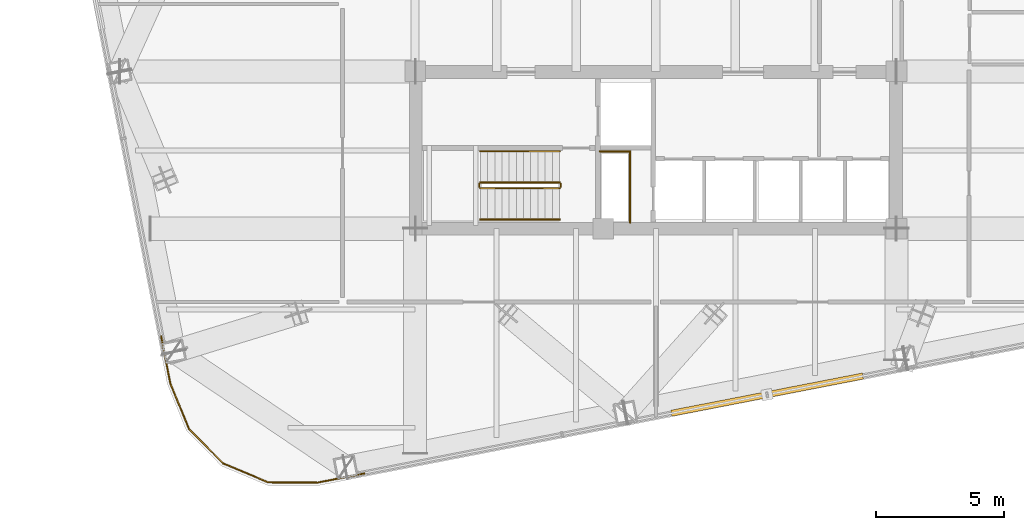
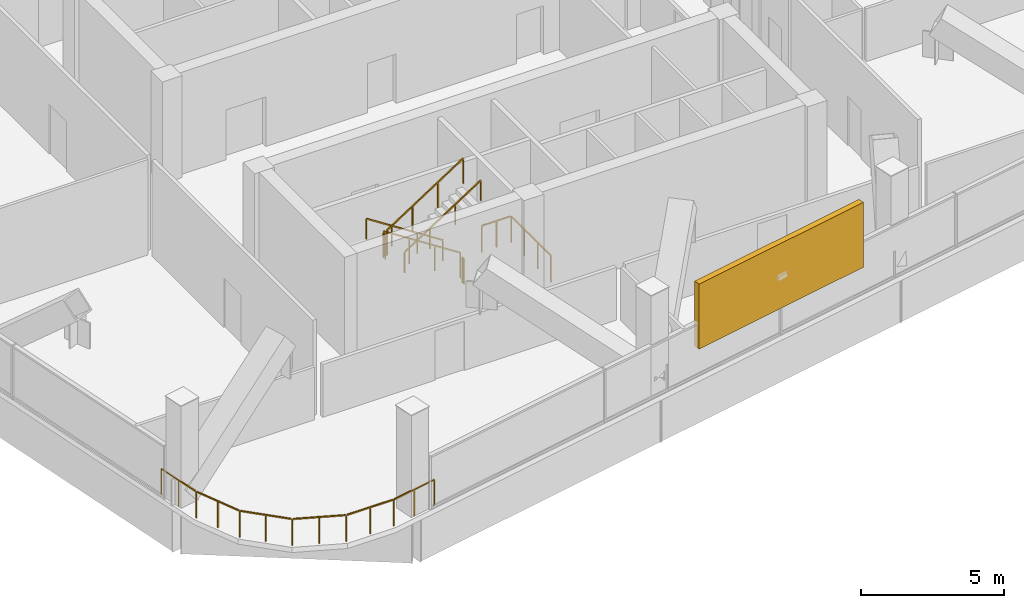
# One storey, part 23 of 26: 8 railings, 1 shading device.
"""IFC4 building model written with IfcOpenShell, lengths in metres."""

from ifc_helpers import new_model, si_unit, direction, frame, origin, origin_2d, place, context, subcontext, project, spatial, rectangle, extrude, material, type_object, element, save


model = new_model("IFC4")

# Units and contexts
model_context = context("Model", 3, precision=1e-05, world=origin(), true_north=direction((0.0, 1.0)))
body_context = subcontext(model_context, "Body", "Model", "MODEL_VIEW")
ifc_project = project(units=[si_unit("LENGTHUNIT", "METRE"), si_unit("AREAUNIT", "SQUARE_METRE"), si_unit("VOLUMEUNIT", "CUBIC_METRE"), si_unit("PLANEANGLEUNIT", "RADIAN"), si_unit("MASSUNIT", "GRAM", prefix="KILO")], contexts=[model_context])

# Site, building, storey
site_placement = place(None, origin())
site = spatial("IfcSite", under=ifc_project, at=site_placement, CompositionType="ELEMENT")
building_placement = place(site_placement, origin())
building = spatial("IfcBuilding", under=site, at=building_placement, Name="Qhalaya Broadcast Tower", CompositionType="ELEMENT")
storey_placement = place(building_placement, frame((0.0, 0.0, 140.25)))
storey = spatial("IfcBuildingStorey", under=building, at=storey_placement, Name="L41", CompositionType="ELEMENT", Elevation=140.25)

# Railings
ifc_material_1 = material(Name="Powder-Coated Galvanised Steel", Category="steel")
railing_type_1 = type_object("IfcRailingType", Name="Stair Wall Handrail 900", PredefinedType="HANDRAIL", material=ifc_material_1)
railing_1_placement = place(storey_placement, frame((-3.75, -5.72998046875, 0.18115234375)))
element("IfcRailing", 1, at=railing_1_placement, inside=storey, type_object=railing_type_1, Name="L41 ST-2 Stair Handrail 1", PredefinedType="HANDRAIL", context=body_context, shape_type="SweptSolid", body=[
    extrude(rectangle(XDim=0.048095703125, YDim=0.048095703125, at=origin_2d()), frame((0.0, 0.0, 0.8759765625), z_axis=(-0.8394576718, 0.0, 0.543425079708), x_axis=(0.0, -1.0, 0.0)), (0.0, 0.0, 1.0), 3.669189453125),
    extrude(rectangle(XDim=0.0419921875, YDim=0.0419921875, at=origin_2d()), origin(), (0.0, 0.0, 1.0), 0.849853515625),
    extrude(rectangle(XDim=0.0419921875, YDim=0.0419921875, at=origin_2d()), frame((-1.026611328125, 0.0, 0.66455078125)), (0.0, 0.0, 1.0), 0.849853515625),
    extrude(rectangle(XDim=0.0419921875, YDim=0.0419921875, at=origin_2d()), frame((-2.053466796875, 0.0, 1.329345703125)), (0.0, 0.0, 1.0), 0.849853515625),
    extrude(rectangle(XDim=0.0419921875, YDim=0.0419921875, at=origin_2d()), frame((-3.080078125, 0.0, 1.993896484375)), (0.0, 0.0, 1.0), 0.849853515625),
])
railing_2_placement = place(storey_placement, frame((-6.830078125, -8.389892578125, 2.356201171875)))
element("IfcRailing", 2, at=railing_2_placement, inside=storey, type_object=railing_type_1, Name="L41 ST-2 Stair Handrail 2", PredefinedType="HANDRAIL", context=body_context, shape_type="SweptSolid", body=[
    extrude(rectangle(XDim=0.048095703125, YDim=0.048095703125, at=origin_2d()), frame((0.0, 0.0, 0.8759765625), z_axis=(0.8394576718, 0.0, 0.543425079708), x_axis=(0.0, 1.0, 0.0)), (0.0, 0.0, 1.0), 3.669189453125),
    extrude(rectangle(XDim=0.0419921875, YDim=0.0419921875, at=origin_2d()), origin(), (0.0, 0.0, 1.0), 0.849853515625),
    extrude(rectangle(XDim=0.0419921875, YDim=0.0419921875, at=origin_2d()), frame((1.026611328125, 0.0, 0.66455078125)), (0.0, 0.0, 1.0), 0.849853515625),
    extrude(rectangle(XDim=0.0419921875, YDim=0.0419921875, at=origin_2d()), frame((2.053466796875, 0.0, 1.329345703125)), (0.0, 0.0, 1.0), 0.849853515625),
    extrude(rectangle(XDim=0.0419921875, YDim=0.0419921875, at=origin_2d()), frame((3.080078125, 0.0, 1.993896484375)), (0.0, 0.0, 1.0), 0.849853515625),
])
railing_type_2 = type_object("IfcRailingType", Name="Stair Well & Landing Guardrail 1100", PredefinedType="GUARDRAIL", material=ifc_material_1)
railing_3_placement = place(storey_placement, frame((-1.0, -8.52001953125, 0.0)))
element("IfcRailing", 3, at=railing_3_placement, inside=storey, type_object=railing_type_2, Name="L41 Service Riser Opening Safety Guard SRSR", PredefinedType="GUARDRAIL", context=body_context, shape_type="SweptSolid", body=[
    extrude(rectangle(XDim=0.048095703125, YDim=0.048095703125, at=origin_2d()), frame((0.0, 0.0, 1.1259765625), z_axis=(0.0, 1.0, 0.0), x_axis=(-1.0, 0.0, 0.0)), (0.0, 0.0, 1.0), 2.751220703125),
    extrude(rectangle(XDim=0.048095703125, YDim=0.048095703125, at=origin_2d()), frame((-0.02880859375, 2.780029296875, 1.1259765625), z_axis=(-1.0, 0.0, 0.0), x_axis=(0.0, -1.0, 0.0)), (0.0, 0.0, 1.0), 1.151123046875),
    extrude(rectangle(XDim=0.0419921875, YDim=0.0419921875, at=origin_2d()), origin(), (0.0, 0.0, 1.0), 1.099853515625),
    extrude(rectangle(XDim=0.0419921875, YDim=0.0419921875, at=origin_2d()), frame((0.0, 0.9267578125, 0.0)), (0.0, 0.0, 1.0), 1.099853515625),
    extrude(rectangle(XDim=0.0419921875, YDim=0.0419921875, at=origin_2d()), frame((0.0, 1.853271484375, 0.0)), (0.0, 0.0, 1.0), 1.099853515625),
    extrude(rectangle(XDim=0.0419921875, YDim=0.0419921875, at=origin_2d()), frame((0.0, 2.780029296875, 0.0)), (0.0, 0.0, 1.0), 1.099853515625),
    extrude(rectangle(XDim=0.0419921875, YDim=0.0419921875, at=origin_2d()), frame((-0.58984375, 2.780029296875, 0.0)), (0.0, 0.0, 1.0), 1.099853515625),
    extrude(rectangle(XDim=0.0419921875, YDim=0.0419921875, at=origin_2d()), frame((-1.179931640625, 2.780029296875, 0.0)), (0.0, 0.0, 1.0), 1.099853515625),
])
railing_4_placement = place(storey_placement, frame((-3.75, -6.949951171875, 0.18115234375)))
element("IfcRailing", 4, at=railing_4_placement, inside=storey, type_object=railing_type_2, Name="L41 ST-2 Stair Guard 1", PredefinedType="GUARDRAIL", context=body_context, shape_type="SweptSolid", body=[
    extrude(rectangle(XDim=0.048095703125, YDim=0.048095703125, at=origin_2d()), frame((0.0, 0.0, 1.076171875), z_axis=(-0.8394576718, 0.0, 0.543425079708), x_axis=(0.0, -1.0, 0.0)), (0.0, 0.0, 1.0), 3.669189453125),
    extrude(rectangle(XDim=0.0419921875, YDim=0.0419921875, at=origin_2d()), origin(), (0.0, 0.0, 1.0), 1.050048828125),
    extrude(rectangle(XDim=0.0419921875, YDim=0.0419921875, at=origin_2d()), frame((-1.026611328125, 0.0, 0.66455078125)), (0.0, 0.0, 1.0), 1.050048828125),
    extrude(rectangle(XDim=0.0419921875, YDim=0.0419921875, at=origin_2d()), frame((-2.053466796875, 0.0, 1.329345703125)), (0.0, 0.0, 1.0), 1.050048828125),
    extrude(rectangle(XDim=0.0419921875, YDim=0.0419921875, at=origin_2d()), frame((-3.080078125, 0.0, 1.993896484375)), (0.0, 0.0, 1.0), 1.050048828125),
])
railing_5_placement = place(storey_placement, frame((-6.8798828125, -7.0, 2.175048828125)))
element("IfcRailing", 5, at=railing_5_placement, inside=storey, type_object=railing_type_2, Name="L41 ST-2 Stair Guard 2", PredefinedType="GUARDRAIL", context=body_context, shape_type="SweptSolid", body=[
    extrude(rectangle(XDim=0.048095703125, YDim=0.048095703125, at=origin_2d()), frame((0.0, 0.0, 1.076171875), z_axis=(0.0, -1.0, 0.0), x_axis=(1.0, 0.0, 0.0)), (0.0, 0.0, 1.0), 0.1201171875),
    extrude(rectangle(XDim=0.0419921875, YDim=0.0419921875, at=origin_2d()), origin(), (0.0, 0.0, 1.0), 1.050048828125),
    extrude(rectangle(XDim=0.0419921875, YDim=0.0419921875, at=origin_2d()), frame((0.0, -0.1201171875, 0.0)), (0.0, 0.0, 1.0), 1.050048828125),
])
railing_6_placement = place(storey_placement, frame((-6.830078125, -7.169921875, 2.356201171875)))
element("IfcRailing", 6, at=railing_6_placement, inside=storey, type_object=railing_type_2, Name="L41 ST-2 Stair Guard 3", PredefinedType="GUARDRAIL", context=body_context, shape_type="SweptSolid", body=[
    extrude(rectangle(XDim=0.048095703125, YDim=0.048095703125, at=origin_2d()), frame((0.0, 0.0, 1.076171875), z_axis=(0.8394576718, 0.0, 0.543425079708), x_axis=(0.0, 1.0, 0.0)), (0.0, 0.0, 1.0), 3.669189453125),
    extrude(rectangle(XDim=0.0419921875, YDim=0.0419921875, at=origin_2d()), origin(), (0.0, 0.0, 1.0), 1.050048828125),
    extrude(rectangle(XDim=0.0419921875, YDim=0.0419921875, at=origin_2d()), frame((1.026611328125, 0.0, 0.66455078125)), (0.0, 0.0, 1.0), 1.050048828125),
    extrude(rectangle(XDim=0.0419921875, YDim=0.0419921875, at=origin_2d()), frame((2.053466796875, 0.0, 1.329345703125)), (0.0, 0.0, 1.0), 1.050048828125),
    extrude(rectangle(XDim=0.0419921875, YDim=0.0419921875, at=origin_2d()), frame((3.080078125, 0.0, 1.993896484375)), (0.0, 0.0, 1.0), 1.050048828125),
])
railing_7_placement = place(storey_placement, frame((-3.699951171875, -7.0, 0.0)))
element("IfcRailing", 7, at=railing_7_placement, inside=storey, type_object=railing_type_2, Name="L41 ST-2 Stair Guard 4", PredefinedType="GUARDRAIL", context=body_context, shape_type="SweptSolid", body=[
    extrude(rectangle(XDim=0.048095703125, YDim=0.048095703125, at=origin_2d()), frame((0.0, 0.0, 1.076171875), z_axis=(0.0, -1.0, 0.0), x_axis=(1.0, 0.0, 0.0)), (0.0, 0.0, 1.0), 0.1201171875),
    extrude(rectangle(XDim=0.0419921875, YDim=0.0419921875, at=origin_2d()), origin(), (0.0, 0.0, 1.0), 1.050048828125),
    extrude(rectangle(XDim=0.0419921875, YDim=0.0419921875, at=origin_2d()), frame((0.0, -0.1201171875, 0.0)), (0.0, 0.0, 1.0), 1.050048828125),
])
railing_type_3 = type_object("IfcRailingType", Name="Terrace, Sky-Pool & Lookout Glass Balustrade 1150", PredefinedType="BALUSTRADE", material=ifc_material_1)
railing_8_placement = place(storey_placement, frame((-11.351318359375, -18.281982421875, 0.0)))
element("IfcRailing", 8, at=railing_8_placement, inside=storey, type_object=railing_type_3, Name="L41 Rounded Corner Perimeter Guard 02", PredefinedType="BALUSTRADE", context=body_context, shape_type="SweptSolid", body=[
    extrude(rectangle(XDim=0.048095703125, YDim=0.048095703125, at=origin_2d()), frame((0.0, 0.0, 1.1259765625), z_axis=(-0.981643446311, -0.190725311155, 0.0), x_axis=(0.190725311155, -0.981643446311, 0.0)), (0.0, 0.0, 1.0), 1.8271484375),
    extrude(rectangle(XDim=0.048095703125, YDim=0.048095703125, at=origin_2d()), frame((-1.850830078125, -0.353759765625, 1.1259765625), z_axis=(-0.999990606087, 0.004334482484, 0.0), x_axis=(-0.004334482484, -0.999990606087, 0.0)), (0.0, 0.0, 1.0), 1.857421875),
    extrude(rectangle(XDim=0.048095703125, YDim=0.048095703125, at=origin_2d()), frame((-3.763671875, -0.33447265625, 1.1259765625), z_axis=(-0.922247496545, 0.386599993684, 0.0), x_axis=(-0.386599993684, -0.922247496545, 0.0)), (0.0, 0.0, 1.0), 1.845703125),
    extrude(rectangle(XDim=0.048095703125, YDim=0.048095703125, at=origin_2d()), frame((-5.5126953125, 0.41064453125, 1.1259765625), z_axis=(-0.704021268228, 0.710178888649, 0.0), x_axis=(-0.710178888649, -0.704021268228, 0.0)), (0.0, 0.0, 1.0), 1.845458984375),
    extrude(rectangle(XDim=0.048095703125, YDim=0.048095703125, at=origin_2d()), frame((-6.84326171875, 1.768310546875, 1.1259765625), z_axis=(-0.378588174109, 0.925565229698, 0.0), x_axis=(-0.925565229698, -0.378588174109, 0.0)), (0.0, 0.0, 1.0), 1.857666015625),
    extrude(rectangle(XDim=0.048095703125, YDim=0.048095703125, at=origin_2d()), frame((-7.56298828125, 3.542724609375, 1.1259765625), z_axis=(-0.190725311155, 0.981643446311, 0.0), x_axis=(-0.981643446311, -0.190725311155, 0.0)), (0.0, 0.0, 1.0), 1.8271484375),
    extrude(rectangle(XDim=0.0419921875, YDim=0.0419921875, at=origin_2d()), origin(), (0.0, 0.0, 1.0), 1.099853515625),
    extrude(rectangle(XDim=0.0419921875, YDim=0.0419921875, at=origin_2d()), frame((-0.9111328125, -0.177001953125, 0.0)), (0.0, 0.0, 1.0), 1.099853515625),
    extrude(rectangle(XDim=0.0419921875, YDim=0.0419921875, at=origin_2d()), frame((-1.822021484375, -0.35400390625, 0.0)), (0.0, 0.0, 1.0), 1.099853515625),
    extrude(rectangle(XDim=0.0419921875, YDim=0.0419921875, at=origin_2d()), frame((-2.779541015625, -0.349853515625, 0.0)), (0.0, 0.0, 1.0), 1.099853515625),
    extrude(rectangle(XDim=0.0419921875, YDim=0.0419921875, at=origin_2d()), frame((-3.737060546875, -0.345703125, 0.0)), (0.0, 0.0, 1.0), 1.099853515625),
    extrude(rectangle(XDim=0.0419921875, YDim=0.0419921875, at=origin_2d()), frame((-4.61474609375, 0.022216796875, 0.0)), (0.0, 0.0, 1.0), 1.099853515625),
    extrude(rectangle(XDim=0.0419921875, YDim=0.0419921875, at=origin_2d()), frame((-5.492431640625, 0.39013671875, 0.0)), (0.0, 0.0, 1.0), 1.099853515625),
    extrude(rectangle(XDim=0.0419921875, YDim=0.0419921875, at=origin_2d()), frame((-6.162353515625, 1.06591796875, 0.0)), (0.0, 0.0, 1.0), 1.099853515625),
    extrude(rectangle(XDim=0.0419921875, YDim=0.0419921875, at=origin_2d()), frame((-6.832275390625, 1.74169921875, 0.0)), (0.0, 0.0, 1.0), 1.099853515625),
    extrude(rectangle(XDim=0.0419921875, YDim=0.0419921875, at=origin_2d()), frame((-7.19482421875, 2.6279296875, 0.0)), (0.0, 0.0, 1.0), 1.099853515625),
    extrude(rectangle(XDim=0.0419921875, YDim=0.0419921875, at=origin_2d()), frame((-7.557373046875, 3.514404296875, 0.0)), (0.0, 0.0, 1.0), 1.099853515625),
    extrude(rectangle(XDim=0.0419921875, YDim=0.0419921875, at=origin_2d()), frame((-7.734375, 4.42529296875, 0.0)), (0.0, 0.0, 1.0), 1.099853515625),
    extrude(rectangle(XDim=0.0419921875, YDim=0.0419921875, at=origin_2d()), frame((-7.911376953125, 5.33642578125, 0.0)), (0.0, 0.0, 1.0), 1.099853515625),
])

# Shading device
ifc_material_2 = material(Name="Fired Architectural Terracotta", Category="masonry")
shading_device_type = type_object("IfcShadingDeviceType", Name="Terracotta Baguette Solar Screen Assembly TBS-01", PredefinedType="USERDEFINED", material=ifc_material_2)
shading_device_placement = place(storey_placement, frame((4.333251953125, -15.212646484375, 1.139404296875), z_axis=(0.0, 0.0, 1.0), x_axis=(0.981627183448, 0.190808995377, 0.0)))
element("IfcShadingDevice", 9, at=shading_device_placement, inside=storey, type_object=shading_device_type, Name="L41 Fired Terracotta Baguette Screen S", ObjectType="BAGUETTE", PredefinedType="USERDEFINED", context=body_context, shape_type="SweptSolid", body=[
    extrude(rectangle(XDim=7.60009765625, YDim=0.239990234375, at=origin_2d()), origin(), (0.0, 0.0, 1.0), 2.76806640625),
])

save(model, "model.ifc")
